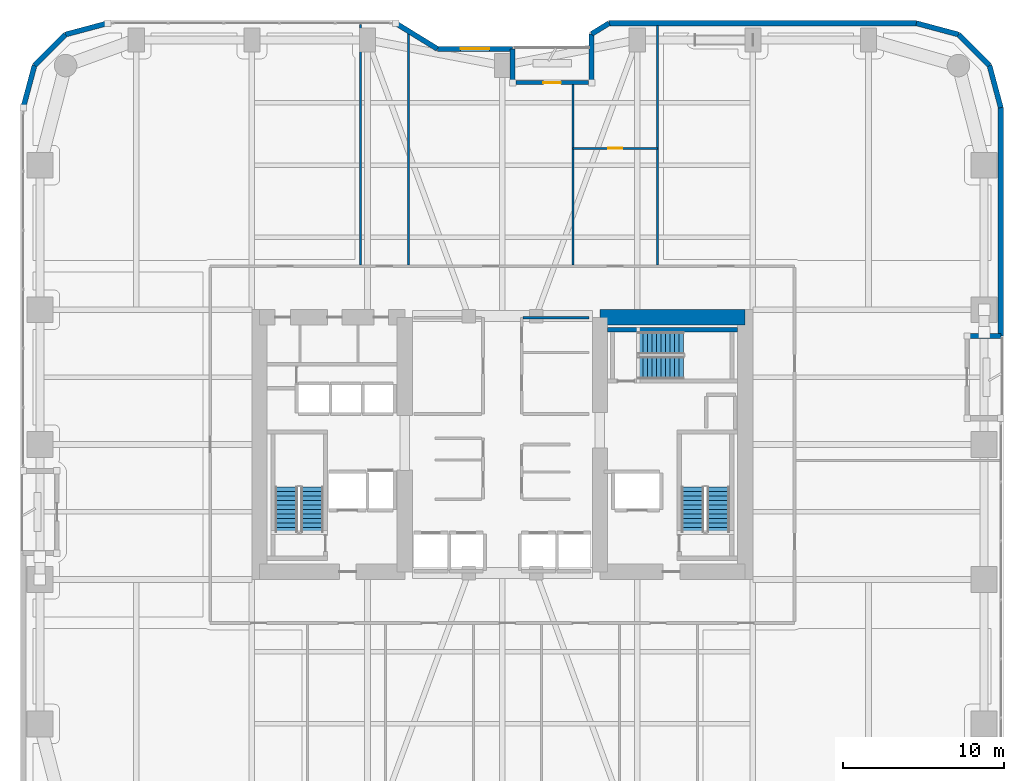
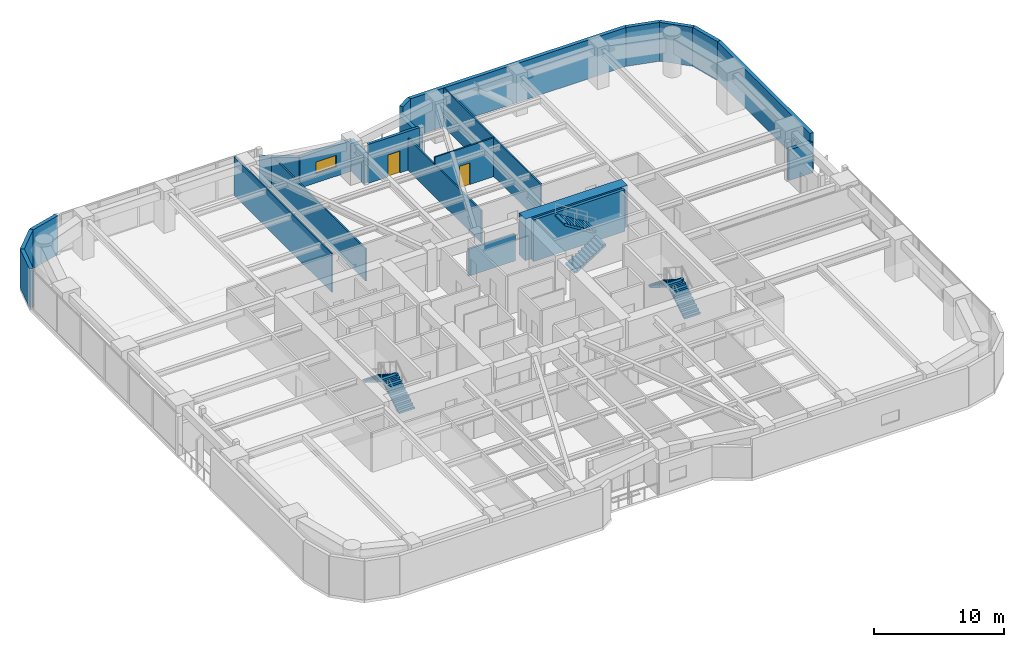
# One storey, part 25 of 29: 23 walls, 6 stair flights, 2 doors, 1 window, 3 openings, 3 elements without a shape of their own.
"""IFC4 building model written with IfcOpenShell, lengths in metres."""

from ifc_helpers import new_model, si_unit, direction, frame, frame_2d, origin, place, context, subcontext, project, spatial, polyline, rectangle, outline, extrude, material, layer, layer_set, type_object, element, fill, aggregate, save


model = new_model("IFC4")

# Units and contexts
model_context = context("Model", 3, precision=1e-05, world=origin(), true_north=direction((0.0, 1.0)))
body_context = subcontext(model_context, "Body", "Model", "MODEL_VIEW")
ifc_project = project(units=[si_unit("LENGTHUNIT", "METRE"), si_unit("AREAUNIT", "SQUARE_METRE"), si_unit("VOLUMEUNIT", "CUBIC_METRE"), si_unit("PLANEANGLEUNIT", "RADIAN"), si_unit("MASSUNIT", "GRAM", prefix="KILO")], contexts=[model_context])

# Site, building, storey
site_placement = place(None, origin())
site = spatial("IfcSite", under=ifc_project, at=site_placement, CompositionType="ELEMENT")
building_placement = place(site_placement, origin())
building = spatial("IfcBuilding", under=site, at=building_placement, Name="Kiyonajd Concourse Tower", CompositionType="ELEMENT")
storey_placement = place(building_placement, frame((0.0, 0.0, 45.0)))
storey = spatial("IfcBuildingStorey", under=building, at=storey_placement, Name="L12", CompositionType="ELEMENT", Elevation=45.0)

# Walls
ifc_material_1 = material(Name="Concrete C80/95", Category="concrete")
ifc_layer_1 = layer(ifc_material_1, 0.949951171875)
ifc_layer_set_1 = layer_set([ifc_layer_1], Name="Concrete C80/95")
wall_type_1 = type_object("IfcWallType", Name="WL-CORE-950", PredefinedType="SHEAR", material=ifc_layer_set_1)
wall_1_placement = place(storey_placement, frame((54.074951171875, 43.925048828125, 0.0), z_axis=(0.0, 0.0, 1.0), x_axis=(1.0, 0.0, 0.0)))
element("IfcWall", 1, at=wall_1_placement, inside=storey, type_object=wall_type_1, Name="L12 East Core North Shear Wall", PredefinedType="SHEAR", context=body_context, shape_type="SweptSolid", body=[
    extrude(rectangle(XDim=9.050048828125, YDim=0.949951171875, at=frame_2d((4.52490234375, 0.0))), origin(), (0.0, 0.0, 1.0), 3.89990234375),
])
ifc_material_2 = material(Name="Precast concrete C50/60", Category="concrete")
ifc_layer_2 = layer(ifc_material_2, 0.320068359375)
ifc_layer_set_2 = layer_set([ifc_layer_2], Name="Precast concrete C50/60")
wall_type_2 = type_object("IfcWallType", Name="WL-EXT-320", PredefinedType="SOLIDWALL", material=ifc_layer_set_2)
wall_2_placement = place(storey_placement, frame((18.159912109375, 56.97900390625, 0.0), z_axis=(0.0, 0.0, 1.0), x_axis=(0.25869736047, 0.965958423373, 0.0)))
element("IfcWall", 2, at=wall_2_placement, inside=storey, type_object=wall_type_2, Name="L12 Exterior Concrete Frame Wall 06", PredefinedType="SOLIDWALL", context=body_context, shape_type="SweptSolid", body=[
    extrude(rectangle(XDim=2.731201171875, YDim=0.320068359375, at=frame_2d((1.36572265625, 0.0))), origin(), (0.0, 0.0, 1.0), 3.639892578125),
])
wall_3_placement = place(storey_placement, frame((18.866455078125, 59.6171875, 0.0), z_axis=(0.0, 0.0, 1.0), x_axis=(0.707106781187, 0.707106781187, 0.0)))
element("IfcWall", 3, at=wall_3_placement, inside=storey, type_object=wall_type_2, Name="L12 Exterior Concrete Frame Wall 07", PredefinedType="SOLIDWALL", context=body_context, shape_type="SweptSolid", body=[
    extrude(rectangle(XDim=2.7099609375, YDim=0.320068359375, at=frame_2d((1.35498046875, 0.0))), origin(), (0.0, 0.0, 1.0), 3.639892578125),
])
wall_4_placement = place(storey_placement, frame((20.78271484375, 61.533447265625, 0.0), z_axis=(0.0, 0.0, 1.0), x_axis=(0.965964405026, 0.25867502435, 0.0)))
element("IfcWall", 4, at=wall_4_placement, inside=storey, type_object=wall_type_2, Name="L12 Exterior Concrete Frame Wall 08", PredefinedType="SOLIDWALL", context=body_context, shape_type="SweptSolid", body=[
    extrude(rectangle(XDim=2.7314453125, YDim=0.320068359375, at=frame_2d((1.36572265625, 0.0))), origin(), (0.0, 0.0, 1.0), 3.639892578125),
])
wall_5_placement = place(storey_placement, frame((41.354736328125, 62.239990234375, 0.0), z_axis=(0.0, 0.0, 1.0), x_axis=(0.851630857047, -0.524142044989, 0.0)))
element("IfcWall", 5, at=wall_5_placement, inside=storey, type_object=wall_type_2, Name="L12 Exterior Concrete Frame Wall 10", PredefinedType="SOLIDWALL", context=body_context, shape_type="SweptSolid", body=[
    extrude(rectangle(XDim=3.052734375, YDim=0.320068359375, at=frame_2d((1.5263671875, 0.0))), origin(), (0.0, 0.0, 1.0), 2.875),
])

# Wall, opening, window
wall_6_placement = place(storey_placement, frame((43.95458984375, 60.639892578125, 0.0), z_axis=(0.0, 0.0, 1.0), x_axis=(1.0, 0.0, 0.0)))
wall_6 = element("IfcWall", 6, at=wall_6_placement, inside=storey, type_object=wall_type_2, Name="L12 Exterior Concrete Frame Wall 11", PredefinedType="SOLIDWALL", context=body_context, shape_type="SweptSolid", body=[
    extrude(rectangle(XDim=4.685302734375, YDim=0.320068359375, at=frame_2d((2.3427734375, 0.0))), origin(), (0.0, 0.0, 1.0), 2.875),
])
opening_1_placement = place(wall_6_placement, frame((1.443115234375, 0.0, 0.85009765625)))
opening_1 = element("IfcOpeningElement", 7, at=opening_1_placement, cuts=wall_6, Name="Opening WN1", PredefinedType="OPENING", context=body_context, shape_type="SweptSolid", body=[
    extrude(rectangle(XDim=1.800048828125, YDim=1.10009765625, at=frame_2d((0.89990234375, 0.550048828125))), frame((0.0, 0.169921875, 0.0), z_axis=(0.0, -1.0, 0.0), x_axis=(1.0, 0.0, 0.0)), (0.0, 0.0, 1.0), 0.340087890625),
])
ifc_material_3 = material(Name="Double Low-E Insulated Glass", Category="glass")
window_type = type_object("IfcWindowType", Name="WN-VIS-1800x1100", PartitioningType="SINGLE_PANEL", PredefinedType="WINDOW", material=ifc_material_3)
window_placement = place(opening_1_placement, origin())
window = element("IfcWindow", 8, at=window_placement, inside=storey, type_object=window_type, Name="L12 Modular Facade Vision Window 11", OverallHeight=1.10009765625, OverallWidth=1.800048828125, PartitioningType="SINGLE_PANEL", PredefinedType="WINDOW", context=body_context, shape_type="SweptSolid", body=[
    extrude(rectangle(XDim=1.800048828125, YDim=1.10009765625, at=frame_2d((0.89990234375, 0.550048828125))), frame((0.0, 0.030029296875, 0.0), z_axis=(0.0, -1.0, 0.0), x_axis=(1.0, 0.0, 0.0)), (0.0, 0.0, 1.0), 0.06005859375),
])
fill(opening_1, window)

# Walls
wall_7_placement = place(storey_placement, frame((48.639892578125, 60.639892578125, 0.0), z_axis=(0.0, 0.0, 1.0), x_axis=(0.0, -1.0, 0.0)))
element("IfcWall", 9, at=wall_7_placement, inside=storey, type_object=wall_type_2, Name="L12 Exterior Concrete Frame Wall 12", PredefinedType="SOLIDWALL", context=body_context, shape_type="SweptSolid", body=[
    extrude(rectangle(XDim=2.099853515625, YDim=0.320068359375, at=frame_2d((1.0498046875, 0.0))), origin(), (0.0, 0.0, 1.0), 2.875),
])
wall_8_placement = place(storey_placement, frame((53.56005859375, 58.5400390625, 0.0), z_axis=(0.0, 0.0, 1.0), x_axis=(0.0, 1.0, 0.0)))
element("IfcWall", 10, at=wall_8_placement, inside=storey, type_object=wall_type_2, Name="L12 Exterior Concrete Frame Wall 14", PredefinedType="SOLIDWALL", context=body_context, shape_type="SweptSolid", body=[
    extrude(rectangle(XDim=3.032470703125, YDim=0.320068359375, at=frame_2d((1.51611328125, 0.0))), origin(), (0.0, 0.0, 1.0), 2.875),
])
wall_9_placement = place(storey_placement, frame((53.56005859375, 61.572509765625, 0.0), z_axis=(0.0, 0.0, 1.0), x_axis=(0.851776724646, 0.523904964045, 0.0)))
element("IfcWall", 11, at=wall_9_placement, inside=storey, type_object=wall_type_2, Name="L12 Exterior Concrete Frame Wall 15", PredefinedType="SOLIDWALL", context=body_context, shape_type="SweptSolid", body=[
    extrude(rectangle(XDim=1.274169921875, YDim=0.320068359375, at=frame_2d((0.63720703125, 0.0))), origin(), (0.0, 0.0, 1.0), 3.639892578125),
])
wall_10_placement = place(storey_placement, frame((54.645263671875, 62.239990234375, 0.0), z_axis=(0.0, 0.0, 1.0), x_axis=(1.0, 0.0, 0.0)))
element("IfcWall", 12, at=wall_10_placement, inside=storey, type_object=wall_type_2, Name="L12 Exterior Concrete Frame Wall 16", PredefinedType="SOLIDWALL", context=body_context, shape_type="SweptSolid", body=[
    extrude(rectangle(XDim=19.133544921875, YDim=0.320068359375, at=frame_2d((9.56689453125, 0.0))), origin(), (0.0, 0.0, 1.0), 3.639892578125),
])
wall_11_placement = place(storey_placement, frame((73.77880859375, 62.239990234375, 0.0), z_axis=(0.0, 0.0, 1.0), x_axis=(0.965964405026, -0.25867502435, 0.0)))
element("IfcWall", 13, at=wall_11_placement, inside=storey, type_object=wall_type_2, Name="L12 Exterior Concrete Frame Wall 17", PredefinedType="SOLIDWALL", context=body_context, shape_type="SweptSolid", body=[
    extrude(rectangle(XDim=2.7314453125, YDim=0.320068359375, at=frame_2d((1.36572265625, 0.0))), origin(), (0.0, 0.0, 1.0), 3.639892578125),
])
wall_12_placement = place(storey_placement, frame((76.417236328125, 61.533447265625, 0.0), z_axis=(0.0, 0.0, 1.0), x_axis=(0.707106781187, -0.707106781187, 0.0)))
element("IfcWall", 14, at=wall_12_placement, inside=storey, type_object=wall_type_2, Name="L12 Exterior Concrete Frame Wall 18", PredefinedType="SOLIDWALL", context=body_context, shape_type="SweptSolid", body=[
    extrude(rectangle(XDim=2.7099609375, YDim=0.320068359375, at=frame_2d((1.35498046875, 0.0))), origin(), (0.0, 0.0, 1.0), 3.639892578125),
])
wall_13_placement = place(storey_placement, frame((78.33349609375, 59.6171875, 0.0), z_axis=(0.0, 0.0, 1.0), x_axis=(0.25869736047, -0.965958423373, 0.0)))
element("IfcWall", 15, at=wall_13_placement, inside=storey, type_object=wall_type_2, Name="L12 Exterior Concrete Frame Wall 19", PredefinedType="SOLIDWALL", context=body_context, shape_type="SweptSolid", body=[
    extrude(rectangle(XDim=2.731201171875, YDim=0.320068359375, at=frame_2d((1.36572265625, 0.0))), origin(), (0.0, 0.0, 1.0), 3.639892578125),
])
wall_14_placement = place(storey_placement, frame((79.0400390625, 56.97900390625, 0.0), z_axis=(0.0, 0.0, 1.0), x_axis=(0.0, -1.0, 0.0)))
element("IfcWall", 16, at=wall_14_placement, inside=storey, type_object=wall_type_2, Name="L12 Exterior Concrete Frame Wall 20", PredefinedType="SOLIDWALL", context=body_context, shape_type="SweptSolid", body=[
    extrude(rectangle(XDim=14.218994140625, YDim=0.320068359375, at=frame_2d((7.109375, 0.0))), origin(), (0.0, 0.0, 1.0), 3.639892578125),
])
wall_15_placement = place(storey_placement, frame((79.0400390625, 42.760009765625, 0.0), z_axis=(0.0, 0.0, 1.0), x_axis=(-1.0, 0.0, 0.0)))
element("IfcWall", 17, at=wall_15_placement, inside=storey, type_object=wall_type_2, Name="L12 Exterior Concrete Frame Wall 21", PredefinedType="SOLIDWALL", context=body_context, shape_type="SweptSolid", body=[
    extrude(rectangle(XDim=2.10009765625, YDim=0.320068359375, at=frame_2d((1.050048828125, 0.0))), origin(), (0.0, 0.0, 1.0), 2.875),
])

# Wall, opening, door
ifc_layer_3 = layer(ifc_material_2, 0.239990234375)
ifc_layer_set_3 = layer_set([ifc_layer_3], Name="Precast concrete C50/60")
wall_type_3 = type_object("IfcWallType", Name="WL-LOG-240", PredefinedType="SOLIDWALL", material=ifc_layer_set_3)
wall_16_placement = place(storey_placement, frame((48.8349609375, 58.5400390625, 0.0), z_axis=(0.0, 0.0, 1.0), x_axis=(1.0, 0.0, 0.0)))
wall_16 = element("IfcWall", 18, at=wall_16_placement, inside=storey, type_object=wall_type_3, Name="L12 Recessed Loggia Thermal Wall LOG-N", PredefinedType="SOLIDWALL", context=body_context, shape_type="SweptSolid", body=[
    extrude(rectangle(XDim=4.530029296875, YDim=0.239990234375, at=frame_2d((2.26513671875, 0.0))), origin(), (0.0, 0.0, 1.0), 3.639892578125),
])
opening_2_placement = place(wall_16_placement, frame((1.715087890625, 0.0, 0.0)))
opening_2 = element("IfcOpeningElement", 19, at=opening_2_placement, cuts=wall_16, Name="Opening DL2", PredefinedType="OPENING", context=body_context, shape_type="SweptSolid", body=[
    extrude(rectangle(XDim=1.10009765625, YDim=2.0400390625, at=frame_2d((0.550048828125, 1.02001953125))), frame((0.0, 0.1298828125, 0.0), z_axis=(0.0, -1.0, 0.0), x_axis=(1.0, 0.0, 0.0)), (0.0, 0.0, 1.0), 0.260009765625),
])
ifc_material_4 = material(Name="Thermally Broken Anodised Aluminium", Category="aluminium")
door_type_1 = type_object("IfcDoorType", Name="DR-LOG-1100", OperationType="NOTDEFINED", PredefinedType="DOOR", material=ifc_material_4)
door_1_placement = place(opening_2_placement, origin())
door_1 = element("IfcDoor", 20, at=door_1_placement, inside=storey, type_object=door_type_1, Name="L12 Engawa Loggia Access Door LOG-N", OperationType="SINGLE_SWING_RIGHT", OverallHeight=2.0400390625, OverallWidth=1.10009765625, PredefinedType="DOOR", context=body_context, shape_type="SweptSolid", body=[
    extrude(rectangle(XDim=1.10009765625, YDim=2.0400390625, at=frame_2d((0.550048828125, 1.02001953125))), frame((0.0, 0.02490234375, 0.0), z_axis=(0.0, -1.0, 0.0), x_axis=(1.0, 0.0, 0.0)), (0.0, 0.0, 1.0), 0.050048828125),
])
fill(opening_2, door_1)

# Walls
ifc_material_5 = material(Name="Gypsum Board on Cold-Formed Steel Stud", Category="steel")
ifc_layer_4 = layer(ifc_material_5, 0.125)
ifc_layer_set_4 = layer_set([ifc_layer_4], Name="Gypsum Board on Cold-Formed Steel Stud")
wall_type_4 = type_object("IfcWallType", Name="WL-PART-125", PredefinedType="PARTITIONING", material=ifc_layer_set_4)
wall_17_placement = place(storey_placement, frame((39.159912109375, 47.197021484375, 0.0), z_axis=(0.0, 0.0, 1.0), x_axis=(0.0, 1.0, 0.0)))
element("IfcWall", 21, at=wall_17_placement, inside=storey, type_object=wall_type_4, Name="L12 Interior Partition Wall", PredefinedType="PARTITIONING", context=body_context, shape_type="SweptSolid", body=[
    extrude(rectangle(XDim=14.9580078125, YDim=0.125, at=frame_2d((7.47900390625, 0.0))), origin(), (0.0, 0.0, 1.0), 3.639892578125),
])
wall_18_placement = place(storey_placement, frame((42.159912109375, 47.197021484375, 0.0), z_axis=(0.0, 0.0, 1.0), x_axis=(0.0, 1.0, 0.0)))
element("IfcWall", 22, at=wall_18_placement, inside=storey, type_object=wall_type_4, Name="L12 Interior Partition Wall", PredefinedType="PARTITIONING", context=body_context, shape_type="SweptSolid", body=[
    extrude(rectangle(XDim=14.39306640625, YDim=0.125, at=frame_2d((7.196533203125, 0.0))), origin(), (0.0, 0.0, 1.0), 3.0029296875),
])

# Wall, opening, door
wall_19_placement = place(storey_placement, frame((52.39990234375, 54.449951171875, 0.0), z_axis=(0.0, 0.0, 1.0), x_axis=(1.0, 0.0, 0.0)))
wall_19 = element("IfcWall", 23, at=wall_19_placement, inside=storey, type_object=wall_type_4, Name="L12 Interior Partition Wall", PredefinedType="PARTITIONING", context=body_context, shape_type="SweptSolid", body=[
    extrude(rectangle(XDim=5.260009765625, YDim=0.125, at=frame_2d((2.6298828125, 0.0))), origin(), (0.0, 0.0, 1.0), 3.639892578125),
])
opening_3_placement = place(wall_19_placement, frame((2.179931640625, 0.0, 0.0)))
opening_3 = element("IfcOpeningElement", 24, at=opening_3_placement, cuts=wall_19, Name="Opening DI2", PredefinedType="OPENING", context=body_context, shape_type="SweptSolid", body=[
    extrude(rectangle(XDim=0.89990234375, YDim=2.02001953125, at=frame_2d((0.449951171875, 1.010009765625))), frame((0.0, 0.072509765625, 0.0), z_axis=(0.0, -1.0, 0.0), x_axis=(1.0, 0.0, 0.0)), (0.0, 0.0, 1.0), 0.14501953125),
])
ifc_material_6 = material(Name="Natural Oak Acoustic Timber Veneer", Category="wood")
door_type_2 = type_object("IfcDoorType", Name="DR-INT-900", OperationType="NOTDEFINED", PredefinedType="DOOR", material=ifc_material_6)
door_2_placement = place(opening_3_placement, origin())
door_2 = element("IfcDoor", 25, at=door_2_placement, inside=storey, type_object=door_type_2, Name="L12 Interior Door", OperationType="SINGLE_SWING_LEFT", OverallHeight=2.02001953125, OverallWidth=0.89990234375, PredefinedType="DOOR", context=body_context, shape_type="SweptSolid", body=[
    extrude(rectangle(XDim=0.89990234375, YDim=2.02001953125, at=frame_2d((0.449951171875, 1.010009765625))), frame((0.0, 0.02490234375, 0.0), z_axis=(0.0, -1.0, 0.0), x_axis=(1.0, 0.0, 0.0)), (0.0, 0.0, 1.0), 0.050048828125),
])
fill(opening_3, door_2)

# Walls
wall_20_placement = place(storey_placement, frame((52.39990234375, 47.197021484375, 0.0), z_axis=(0.0, 0.0, 1.0), x_axis=(0.0, 1.0, 0.0)))
element("IfcWall", 26, at=wall_20_placement, inside=storey, type_object=wall_type_4, Name="L12 Interior Partition Wall", PredefinedType="PARTITIONING", context=body_context, shape_type="SweptSolid", body=[
    extrude(rectangle(XDim=11.22802734375, YDim=0.125, at=frame_2d((5.614013671875, 0.0))), origin(), (0.0, 0.0, 1.0), 3.0029296875),
])
wall_21_placement = place(storey_placement, frame((57.659912109375, 47.197021484375, 0.0), z_axis=(0.0, 0.0, 1.0), x_axis=(0.0, 1.0, 0.0)))
element("IfcWall", 27, at=wall_21_placement, inside=storey, type_object=wall_type_4, Name="L12 Interior Partition Wall", PredefinedType="PARTITIONING", context=body_context, shape_type="SweptSolid", body=[
    extrude(rectangle(XDim=14.887939453125, YDim=0.125, at=frame_2d((7.44384765625, 0.0))), origin(), (0.0, 0.0, 1.0), 3.639892578125),
])
ifc_layer_5 = layer(ifc_material_5, 0.169921875)
ifc_layer_set_5 = layer_set([ifc_layer_5], Name="Gypsum Board on Cold-Formed Steel Stud")
wall_type_5 = type_object("IfcWallType", Name="WL-SMK-170", PredefinedType="PARTITIONING", material=ifc_layer_set_5)
wall_22_placement = place(storey_placement, frame((49.287109375, 43.89990234375, 0.0), z_axis=(0.0, 0.0, 1.0), x_axis=(1.0, 0.0, 0.0)))
element("IfcWall", 28, at=wall_22_placement, inside=storey, type_object=wall_type_5, Name="L12 Interior Partition Wall", PredefinedType="PARTITIONING", context=body_context, shape_type="SweptSolid", body=[
    extrude(rectangle(XDim=4.11279296875, YDim=0.169921875, at=frame_2d((2.056396484375, 0.0))), origin(), (0.0, 0.0, 1.0), 2.52490234375),
])
ifc_material_7 = material(Name="Concrete C50/60", Category="concrete")
ifc_layer_6 = layer(ifc_material_7, 0.260009765625)
ifc_layer_set_6 = layer_set([ifc_layer_6], Name="Concrete C50/60")
wall_type_6 = type_object("IfcWallType", Name="WL-STAIR-260", PredefinedType="SHEAR", material=ifc_layer_set_6)
wall_23_placement = place(storey_placement, frame((54.550048828125, 43.14990234375, 0.0), z_axis=(0.0, 0.0, 1.0), x_axis=(1.0, 0.0, 0.0)))
element("IfcWall", 29, at=wall_23_placement, inside=storey, type_object=wall_type_6, Name="L12 Stair ST3 Structural North Wall", PredefinedType="SHEAR", context=body_context, shape_type="SweptSolid", body=[
    extrude(rectangle(XDim=8.099853515625, YDim=0.260009765625, at=frame_2d((4.0498046875, 0.0))), origin(), (0.0, 0.0, 1.0), 3.89990234375),
])

# Stair, stair flights
ifc_material_8 = material(Name="Concrete C40/50", Category="concrete")
stair_type = type_object("IfcStairType", Name="ST-DLG-22R", PredefinedType="HALF_TURN_STAIR", material=ifc_material_8)
stair_1_placement = place(storey_placement, origin())
stair_1 = element("IfcStair", 30, at=stair_1_placement, inside=storey, type_object=stair_type, Name="L12 Protected Exit Stair ST1", PredefinedType="HALF_TURN_STAIR")
stair_flight_type = type_object("IfcStairFlightType", Name="SF-STR-22R", PredefinedType="STRAIGHT", material=ifc_material_8)
stair_flight_1_placement = place(storey_placement, frame((36.14990234375, 30.550048828125, 0.0), z_axis=(0.0, 0.0, 1.0), x_axis=(0.0, 1.0, 0.0)))
stair_flight_1 = element("IfcStairFlight", 31, at=stair_flight_1_placement, type_object=stair_flight_type, Name="ST1 flight 1", NumberOfRisers=11, NumberOfTreads=10, PredefinedType="STRAIGHT", RiserHeight=0.177272727, TreadLength=0.28, context=body_context, shape_type="SweptSolid", body=[
    extrude(outline(polyline([(0.0, 0.0), (0.0, 0.17724609375), (0.280029296875, 0.17724609375), (0.280029296875, 0.3544921875), (0.56005859375, 0.3544921875), (0.56005859375, 0.53173828125), (0.840087890625, 0.53173828125), (0.840087890625, 0.708984375), (1.1201171875, 0.708984375), (1.1201171875, 0.886474609375), (1.39990234375, 0.886474609375), (1.39990234375, 1.063720703125), (1.679931640625, 1.063720703125), (1.679931640625, 1.240966796875), (1.9599609375, 1.240966796875), (1.9599609375, 1.418212890625), (2.239990234375, 1.418212890625), (2.239990234375, 1.595458984375), (2.52001953125, 1.595458984375), (2.52001953125, 1.772705078125), (2.800048828125, 1.772705078125), (2.800048828125, 1.949951171875), (2.800048828125, 1.59521484375), (0.2802734375, 0.0), (0.0, 0.0)])), frame((0.0, 0.699951171875, 0.0), z_axis=(0.0, -1.0, 0.0), x_axis=(1.0, 0.0, 0.0)), (0.0, 0.0, 1.0), 1.39990234375),
])
stair_flight_2_placement = place(storey_placement, frame((34.550048828125, 33.35009765625, 1.949951171875), z_axis=(0.0, 0.0, 1.0), x_axis=(0.0, -1.0, 0.0)))
stair_flight_2 = element("IfcStairFlight", 32, at=stair_flight_2_placement, type_object=stair_flight_type, Name="ST1 flight 2", NumberOfRisers=11, NumberOfTreads=10, PredefinedType="STRAIGHT", RiserHeight=0.177272727, TreadLength=0.28, context=body_context, shape_type="SweptSolid", body=[
    extrude(outline(polyline([(0.0, 0.0), (0.0, 0.17724609375), (0.280029296875, 0.17724609375), (0.280029296875, 0.3544921875), (0.56005859375, 0.3544921875), (0.56005859375, 0.53173828125), (0.840087890625, 0.53173828125), (0.840087890625, 0.708984375), (1.1201171875, 0.708984375), (1.1201171875, 0.886474609375), (1.39990234375, 0.886474609375), (1.39990234375, 1.063720703125), (1.679931640625, 1.063720703125), (1.679931640625, 1.240966796875), (1.9599609375, 1.240966796875), (1.9599609375, 1.418212890625), (2.239990234375, 1.418212890625), (2.239990234375, 1.595458984375), (2.52001953125, 1.595458984375), (2.52001953125, 1.772705078125), (2.800048828125, 1.772705078125), (2.800048828125, 1.949951171875), (2.800048828125, 1.59521484375), (0.2802734375, 0.0), (0.0, 0.0)])), frame((0.0, 0.699951171875, 0.0), z_axis=(0.0, -1.0, 0.0), x_axis=(1.0, 0.0, 0.0)), (0.0, 0.0, 1.0), 1.39990234375),
])
aggregate(stair_1, [stair_flight_1, stair_flight_2])

stair_2_placement = place(storey_placement, origin())
stair_2 = element("IfcStair", 33, at=stair_2_placement, inside=storey, type_object=stair_type, Name="L12 Protected Exit Stair ST2", PredefinedType="HALF_TURN_STAIR")
stair_flight_3_placement = place(storey_placement, frame((61.449951171875, 30.550048828125, 0.0), z_axis=(0.0, 0.0, 1.0), x_axis=(0.0, 1.0, 0.0)))
stair_flight_3 = element("IfcStairFlight", 34, at=stair_flight_3_placement, type_object=stair_flight_type, Name="ST2 flight 1", NumberOfRisers=11, NumberOfTreads=10, PredefinedType="STRAIGHT", RiserHeight=0.177272727, TreadLength=0.28, context=body_context, shape_type="SweptSolid", body=[
    extrude(outline(polyline([(0.0, 0.0), (0.0, 0.17724609375), (0.280029296875, 0.17724609375), (0.280029296875, 0.3544921875), (0.56005859375, 0.3544921875), (0.56005859375, 0.53173828125), (0.840087890625, 0.53173828125), (0.840087890625, 0.708984375), (1.1201171875, 0.708984375), (1.1201171875, 0.886474609375), (1.39990234375, 0.886474609375), (1.39990234375, 1.063720703125), (1.679931640625, 1.063720703125), (1.679931640625, 1.240966796875), (1.9599609375, 1.240966796875), (1.9599609375, 1.418212890625), (2.239990234375, 1.418212890625), (2.239990234375, 1.595458984375), (2.52001953125, 1.595458984375), (2.52001953125, 1.772705078125), (2.800048828125, 1.772705078125), (2.800048828125, 1.949951171875), (2.800048828125, 1.59521484375), (0.2802734375, 0.0), (0.0, 0.0)])), frame((0.0, 0.699951171875, 0.0), z_axis=(0.0, -1.0, 0.0), x_axis=(1.0, 0.0, 0.0)), (0.0, 0.0, 1.0), 1.39990234375),
])
stair_flight_4_placement = place(storey_placement, frame((59.85009765625, 33.35009765625, 1.949951171875), z_axis=(0.0, 0.0, 1.0), x_axis=(0.0, -1.0, 0.0)))
stair_flight_4 = element("IfcStairFlight", 35, at=stair_flight_4_placement, type_object=stair_flight_type, Name="ST2 flight 2", NumberOfRisers=11, NumberOfTreads=10, PredefinedType="STRAIGHT", RiserHeight=0.177272727, TreadLength=0.28, context=body_context, shape_type="SweptSolid", body=[
    extrude(outline(polyline([(0.0, 0.0), (0.0, 0.17724609375), (0.280029296875, 0.17724609375), (0.280029296875, 0.3544921875), (0.56005859375, 0.3544921875), (0.56005859375, 0.53173828125), (0.840087890625, 0.53173828125), (0.840087890625, 0.708984375), (1.1201171875, 0.708984375), (1.1201171875, 0.886474609375), (1.39990234375, 0.886474609375), (1.39990234375, 1.063720703125), (1.679931640625, 1.063720703125), (1.679931640625, 1.240966796875), (1.9599609375, 1.240966796875), (1.9599609375, 1.418212890625), (2.239990234375, 1.418212890625), (2.239990234375, 1.595458984375), (2.52001953125, 1.595458984375), (2.52001953125, 1.772705078125), (2.800048828125, 1.772705078125), (2.800048828125, 1.949951171875), (2.800048828125, 1.59521484375), (0.2802734375, 0.0), (0.0, 0.0)])), frame((0.0, 0.699951171875, 0.0), z_axis=(0.0, -1.0, 0.0), x_axis=(1.0, 0.0, 0.0)), (0.0, 0.0, 1.0), 1.39990234375),
])
aggregate(stair_2, [stair_flight_3, stair_flight_4])

stair_3_placement = place(storey_placement, origin())
stair_3 = element("IfcStair", 36, at=stair_3_placement, inside=storey, type_object=stair_type, Name="L12 Protected Exit Stair ST3", PredefinedType="HALF_TURN_STAIR")
stair_flight_5_placement = place(storey_placement, frame((56.47998046875, 40.780029296875, 0.0), z_axis=(0.0, 0.0, 1.0), x_axis=(1.0, 0.0, 0.0)))
stair_flight_5 = element("IfcStairFlight", 37, at=stair_flight_5_placement, type_object=stair_flight_type, Name="ST3 flight 1", NumberOfRisers=11, NumberOfTreads=10, PredefinedType="STRAIGHT", RiserHeight=0.177272727, TreadLength=0.28, context=body_context, shape_type="SweptSolid", body=[
    extrude(outline(polyline([(0.0, 0.0), (0.0, 0.17724609375), (0.280029296875, 0.17724609375), (0.280029296875, 0.3544921875), (0.56005859375, 0.3544921875), (0.56005859375, 0.53173828125), (0.840087890625, 0.53173828125), (0.840087890625, 0.708984375), (1.1201171875, 0.708984375), (1.1201171875, 0.886474609375), (1.39990234375, 0.886474609375), (1.39990234375, 1.063720703125), (1.679931640625, 1.063720703125), (1.679931640625, 1.240966796875), (1.9599609375, 1.240966796875), (1.9599609375, 1.418212890625), (2.239990234375, 1.418212890625), (2.239990234375, 1.595458984375), (2.52001953125, 1.595458984375), (2.52001953125, 1.772705078125), (2.800048828125, 1.772705078125), (2.800048828125, 1.949951171875), (2.800048828125, 1.59521484375), (0.2802734375, 0.0), (0.0, 0.0)])), frame((0.0, 0.699951171875, 0.0), z_axis=(0.0, -1.0, 0.0), x_axis=(1.0, 0.0, 0.0)), (0.0, 0.0, 1.0), 1.39990234375),
])
stair_flight_6_placement = place(storey_placement, frame((59.280029296875, 42.320068359375, 1.949951171875), z_axis=(0.0, 0.0, 1.0), x_axis=(-1.0, 0.0, 0.0)))
stair_flight_6 = element("IfcStairFlight", 38, at=stair_flight_6_placement, type_object=stair_flight_type, Name="ST3 flight 2", NumberOfRisers=11, NumberOfTreads=10, PredefinedType="STRAIGHT", RiserHeight=0.177272727, TreadLength=0.28, context=body_context, shape_type="SweptSolid", body=[
    extrude(outline(polyline([(0.0, 0.0), (0.0, 0.17724609375), (0.280029296875, 0.17724609375), (0.280029296875, 0.3544921875), (0.56005859375, 0.3544921875), (0.56005859375, 0.53173828125), (0.840087890625, 0.53173828125), (0.840087890625, 0.708984375), (1.1201171875, 0.708984375), (1.1201171875, 0.886474609375), (1.39990234375, 0.886474609375), (1.39990234375, 1.063720703125), (1.679931640625, 1.063720703125), (1.679931640625, 1.240966796875), (1.9599609375, 1.240966796875), (1.9599609375, 1.418212890625), (2.239990234375, 1.418212890625), (2.239990234375, 1.595458984375), (2.52001953125, 1.595458984375), (2.52001953125, 1.772705078125), (2.800048828125, 1.772705078125), (2.800048828125, 1.949951171875), (2.800048828125, 1.59521484375), (0.2802734375, 0.0), (0.0, 0.0)])), frame((0.0, 0.699951171875, 0.0), z_axis=(0.0, -1.0, 0.0), x_axis=(1.0, 0.0, 0.0)), (0.0, 0.0, 1.0), 1.39990234375),
])
aggregate(stair_3, [stair_flight_5, stair_flight_6])

save(model, "model.ifc")
